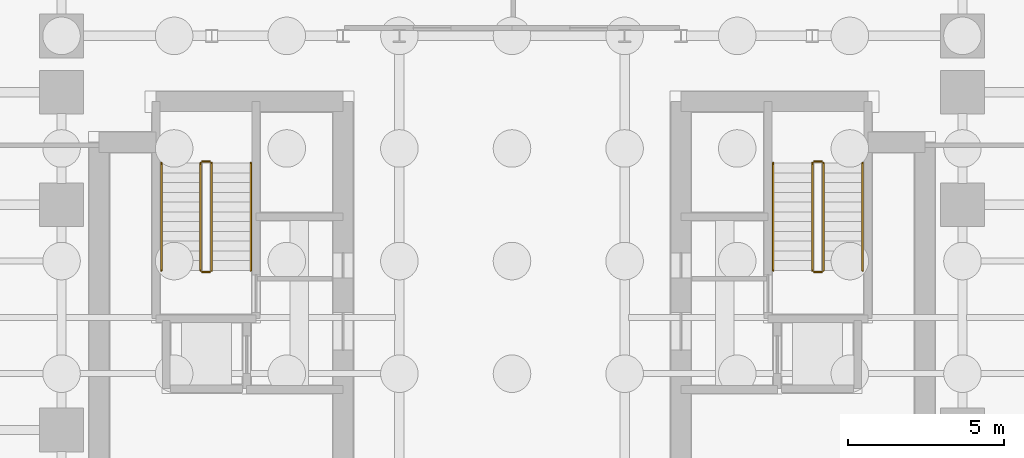
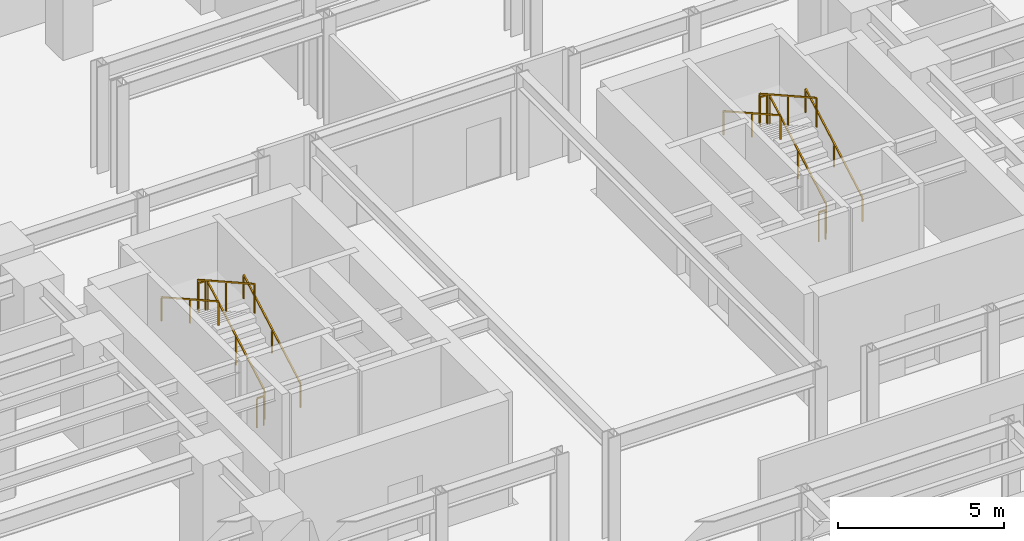
# One storey, part 12 of 13: 12 railings.
"""IFC4 building model written with IfcOpenShell, lengths in metres."""

from ifc_helpers import new_model, si_unit, direction, frame, origin, origin_2d, place, context, subcontext, project, spatial, rectangle, extrude, material, type_object, element, save


model = new_model("IFC4")

# Units and contexts
model_context = context("Model", 3, precision=1e-05, world=origin(), true_north=direction((0.0, 1.0)))
body_context = subcontext(model_context, "Body", "Model", "MODEL_VIEW")
ifc_project = project(units=[si_unit("LENGTHUNIT", "METRE"), si_unit("AREAUNIT", "SQUARE_METRE"), si_unit("VOLUMEUNIT", "CUBIC_METRE"), si_unit("PLANEANGLEUNIT", "RADIAN"), si_unit("MASSUNIT", "GRAM", prefix="KILO")], contexts=[model_context])

# Site, building, storey
site_placement = place(None, origin())
site = spatial("IfcSite", under=ifc_project, at=site_placement, CompositionType="ELEMENT")
building_placement = place(site_placement, origin())
building = spatial("IfcBuilding", under=site, at=building_placement, Name="Keilestroom Media Tower", CompositionType="ELEMENT")
storey_placement = place(building_placement, frame((0.0, 0.0, -8.39990234375)))
storey = spatial("IfcBuildingStorey", under=building, at=storey_placement, Name="B2", CompositionType="ELEMENT", Elevation=-8.39990234375)

# Railings
ifc_material_1 = material(Name="Brushed Stainless Steel 1.4301", Category="steel")
railing_type_1 = type_object("IfcRailingType", Name="Stair-Pitch-Handrail-920", PredefinedType="HANDRAIL", material=ifc_material_1)
railing_1_placement = place(storey_placement, frame((-8.35009765625, 1.5, 0.1748046875)))
element("IfcRailing", 1, at=railing_1_placement, inside=storey, type_object=railing_type_1, Name="B2 ST-1 stair handrail 1", PredefinedType="HANDRAIL", context=body_context, shape_type="SweptSolid", body=[
    extrude(rectangle(XDim=0.048095703125, YDim=0.048095703125, at=origin_2d()), frame((0.0, 0.0, 0.8759765625), z_axis=(0.0, 0.872159829118, 0.489221046638), x_axis=(-1.0, 0.0, 0.0)), (0.0, 0.0, 1.0), 3.934814453125),
    extrude(rectangle(XDim=0.0419921875, YDim=0.0419921875, at=origin_2d()), origin(), (0.0, 0.0, 1.0), 0.84375),
    extrude(rectangle(XDim=0.0419921875, YDim=0.0419921875, at=origin_2d()), frame((0.0, 1.7158203125, 0.96240234375)), (0.0, 0.0, 1.0), 0.84375),
    extrude(rectangle(XDim=0.0419921875, YDim=0.0419921875, at=origin_2d()), frame((0.0, 3.431884765625, 1.925048828125)), (0.0, 0.0, 1.0), 0.84375),
])
railing_2_placement = place(storey_placement, frame((-11.2099609375, 4.931884765625, 2.27490234375)))
element("IfcRailing", 2, at=railing_2_placement, inside=storey, type_object=railing_type_1, Name="B2 ST-1 stair handrail 2", PredefinedType="HANDRAIL", context=body_context, shape_type="SweptSolid", body=[
    extrude(rectangle(XDim=0.048095703125, YDim=0.048095703125, at=origin_2d()), frame((0.0, 0.0, 0.8759765625), z_axis=(0.0, -0.872159829118, 0.489221046638), x_axis=(1.0, 0.0, 0.0)), (0.0, 0.0, 1.0), 3.934814453125),
    extrude(rectangle(XDim=0.0419921875, YDim=0.0419921875, at=origin_2d()), origin(), (0.0, 0.0, 1.0), 0.84375),
    extrude(rectangle(XDim=0.0419921875, YDim=0.0419921875, at=origin_2d()), frame((0.0, -1.7158203125, 0.96240234375)), (0.0, 0.0, 1.0), 0.84375),
    extrude(rectangle(XDim=0.0419921875, YDim=0.0419921875, at=origin_2d()), frame((0.0, -3.431884765625, 1.925048828125)), (0.0, 0.0, 1.0), 0.84375),
])
railing_3_placement = place(storey_placement, frame((11.2099609375, 1.5, 0.1748046875)))
element("IfcRailing", 3, at=railing_3_placement, inside=storey, type_object=railing_type_1, Name="B2 ST-2 stair handrail 1", PredefinedType="HANDRAIL", context=body_context, shape_type="SweptSolid", body=[
    extrude(rectangle(XDim=0.048095703125, YDim=0.048095703125, at=origin_2d()), frame((0.0, 0.0, 0.8759765625), z_axis=(0.0, 0.872159829118, 0.489221046638), x_axis=(-1.0, 0.0, 0.0)), (0.0, 0.0, 1.0), 3.934814453125),
    extrude(rectangle(XDim=0.0419921875, YDim=0.0419921875, at=origin_2d()), origin(), (0.0, 0.0, 1.0), 0.84375),
    extrude(rectangle(XDim=0.0419921875, YDim=0.0419921875, at=origin_2d()), frame((0.0, 1.7158203125, 0.96240234375)), (0.0, 0.0, 1.0), 0.84375),
    extrude(rectangle(XDim=0.0419921875, YDim=0.0419921875, at=origin_2d()), frame((0.0, 3.431884765625, 1.925048828125)), (0.0, 0.0, 1.0), 0.84375),
])
railing_4_placement = place(storey_placement, frame((8.35009765625, 4.931884765625, 2.27490234375)))
element("IfcRailing", 4, at=railing_4_placement, inside=storey, type_object=railing_type_1, Name="B2 ST-2 stair handrail 2", PredefinedType="HANDRAIL", context=body_context, shape_type="SweptSolid", body=[
    extrude(rectangle(XDim=0.048095703125, YDim=0.048095703125, at=origin_2d()), frame((0.0, 0.0, 0.8759765625), z_axis=(0.0, -0.872159829118, 0.489221046638), x_axis=(1.0, 0.0, 0.0)), (0.0, 0.0, 1.0), 3.934814453125),
    extrude(rectangle(XDim=0.0419921875, YDim=0.0419921875, at=origin_2d()), origin(), (0.0, 0.0, 1.0), 0.84375),
    extrude(rectangle(XDim=0.0419921875, YDim=0.0419921875, at=origin_2d()), frame((0.0, -1.7158203125, 0.96240234375)), (0.0, 0.0, 1.0), 0.84375),
    extrude(rectangle(XDim=0.0419921875, YDim=0.0419921875, at=origin_2d()), frame((0.0, -3.431884765625, 1.925048828125)), (0.0, 0.0, 1.0), 0.84375),
])
ifc_material_2 = material(Name="Painted Steel Balustrade", Category="steel")
railing_type_2 = type_object("IfcRailingType", Name="Stair-Well-And-Landing-Guard-1100", PredefinedType="GUARDRAIL", material=ifc_material_2)
railing_5_placement = place(storey_placement, frame((-9.610107421875, 1.5, 0.1748046875)))
element("IfcRailing", 5, at=railing_5_placement, inside=storey, type_object=railing_type_2, Name="B2 ST-1 stair guard 1", PredefinedType="GUARDRAIL", context=body_context, shape_type="SweptSolid", body=[
    extrude(rectangle(XDim=0.048095703125, YDim=0.048095703125, at=origin_2d()), frame((0.0, 0.0, 1.076171875), z_axis=(0.0, 0.872159829118, 0.489221046638), x_axis=(-1.0, 0.0, 0.0)), (0.0, 0.0, 1.0), 3.934814453125),
    extrude(rectangle(XDim=0.0419921875, YDim=0.0419921875, at=origin_2d()), origin(), (0.0, 0.0, 1.0), 1.0439453125),
    extrude(rectangle(XDim=0.0419921875, YDim=0.0419921875, at=origin_2d()), frame((0.0, 1.7158203125, 0.96240234375)), (0.0, 0.0, 1.0), 1.0439453125),
    extrude(rectangle(XDim=0.0419921875, YDim=0.0419921875, at=origin_2d()), frame((0.0, 3.431884765625, 1.925048828125)), (0.0, 0.0, 1.0), 1.0439453125),
])
railing_6_placement = place(storey_placement, frame((-9.659912109375, 4.98193359375, 2.099853515625)))
element("IfcRailing", 6, at=railing_6_placement, inside=storey, type_object=railing_type_2, Name="B2 ST-1 stair guard 2", PredefinedType="GUARDRAIL", context=body_context, shape_type="SweptSolid", body=[
    extrude(rectangle(XDim=0.048095703125, YDim=0.048095703125, at=origin_2d()), frame((0.0, 0.0, 1.076171875), z_axis=(-1.0, 0.0, 0.0), x_axis=(0.0, -1.0, 0.0)), (0.0, 0.0, 1.0), 0.239990234375),
    extrude(rectangle(XDim=0.0419921875, YDim=0.0419921875, at=origin_2d()), origin(), (0.0, 0.0, 1.0), 1.0439453125),
    extrude(rectangle(XDim=0.0419921875, YDim=0.0419921875, at=origin_2d()), frame((-0.239990234375, 0.0, 0.0)), (0.0, 0.0, 1.0), 1.0439453125),
])
railing_7_placement = place(storey_placement, frame((-9.949951171875, 4.931884765625, 2.27490234375)))
element("IfcRailing", 7, at=railing_7_placement, inside=storey, type_object=railing_type_2, Name="B2 ST-1 stair guard 3", PredefinedType="GUARDRAIL", context=body_context, shape_type="SweptSolid", body=[
    extrude(rectangle(XDim=0.048095703125, YDim=0.048095703125, at=origin_2d()), frame((0.0, 0.0, 1.076171875), z_axis=(0.0, -0.872159829118, 0.489221046638), x_axis=(1.0, 0.0, 0.0)), (0.0, 0.0, 1.0), 3.934814453125),
    extrude(rectangle(XDim=0.0419921875, YDim=0.0419921875, at=origin_2d()), origin(), (0.0, 0.0, 1.0), 1.0439453125),
    extrude(rectangle(XDim=0.0419921875, YDim=0.0419921875, at=origin_2d()), frame((0.0, -1.7158203125, 0.96240234375)), (0.0, 0.0, 1.0), 1.0439453125),
    extrude(rectangle(XDim=0.0419921875, YDim=0.0419921875, at=origin_2d()), frame((0.0, -3.431884765625, 1.925048828125)), (0.0, 0.0, 1.0), 1.0439453125),
])
railing_8_placement = place(storey_placement, frame((-9.659912109375, 1.449951171875, 0.0)))
element("IfcRailing", 8, at=railing_8_placement, inside=storey, type_object=railing_type_2, Name="B2 ST-1 stair guard 4", PredefinedType="GUARDRAIL", context=body_context, shape_type="SweptSolid", body=[
    extrude(rectangle(XDim=0.048095703125, YDim=0.048095703125, at=origin_2d()), frame((0.0, 0.0, 1.076171875), z_axis=(-1.0, 0.0, 0.0), x_axis=(0.0, -1.0, 0.0)), (0.0, 0.0, 1.0), 0.239990234375),
    extrude(rectangle(XDim=0.0419921875, YDim=0.0419921875, at=origin_2d()), origin(), (0.0, 0.0, 1.0), 1.0439453125),
    extrude(rectangle(XDim=0.0419921875, YDim=0.0419921875, at=origin_2d()), frame((-0.239990234375, 0.0, 0.0)), (0.0, 0.0, 1.0), 1.0439453125),
])
railing_9_placement = place(storey_placement, frame((9.949951171875, 1.5, 0.1748046875)))
element("IfcRailing", 9, at=railing_9_placement, inside=storey, type_object=railing_type_2, Name="B2 ST-2 stair guard 1", PredefinedType="GUARDRAIL", context=body_context, shape_type="SweptSolid", body=[
    extrude(rectangle(XDim=0.048095703125, YDim=0.048095703125, at=origin_2d()), frame((0.0, 0.0, 1.076171875), z_axis=(0.0, 0.872159829118, 0.489221046638), x_axis=(-1.0, 0.0, 0.0)), (0.0, 0.0, 1.0), 3.934814453125),
    extrude(rectangle(XDim=0.0419921875, YDim=0.0419921875, at=origin_2d()), origin(), (0.0, 0.0, 1.0), 1.0439453125),
    extrude(rectangle(XDim=0.0419921875, YDim=0.0419921875, at=origin_2d()), frame((0.0, 1.7158203125, 0.96240234375)), (0.0, 0.0, 1.0), 1.0439453125),
    extrude(rectangle(XDim=0.0419921875, YDim=0.0419921875, at=origin_2d()), frame((0.0, 3.431884765625, 1.925048828125)), (0.0, 0.0, 1.0), 1.0439453125),
])
railing_10_placement = place(storey_placement, frame((9.89990234375, 4.98193359375, 2.099853515625)))
element("IfcRailing", 10, at=railing_10_placement, inside=storey, type_object=railing_type_2, Name="B2 ST-2 stair guard 2", PredefinedType="GUARDRAIL", context=body_context, shape_type="SweptSolid", body=[
    extrude(rectangle(XDim=0.048095703125, YDim=0.048095703125, at=origin_2d()), frame((0.0, 0.0, 1.076171875), z_axis=(-1.0, 0.0, 0.0), x_axis=(0.0, -1.0, 0.0)), (0.0, 0.0, 1.0), 0.239990234375),
    extrude(rectangle(XDim=0.0419921875, YDim=0.0419921875, at=origin_2d()), origin(), (0.0, 0.0, 1.0), 1.0439453125),
    extrude(rectangle(XDim=0.0419921875, YDim=0.0419921875, at=origin_2d()), frame((-0.239990234375, 0.0, 0.0)), (0.0, 0.0, 1.0), 1.0439453125),
])
railing_11_placement = place(storey_placement, frame((9.610107421875, 4.931884765625, 2.27490234375)))
element("IfcRailing", 11, at=railing_11_placement, inside=storey, type_object=railing_type_2, Name="B2 ST-2 stair guard 3", PredefinedType="GUARDRAIL", context=body_context, shape_type="SweptSolid", body=[
    extrude(rectangle(XDim=0.048095703125, YDim=0.048095703125, at=origin_2d()), frame((0.0, 0.0, 1.076171875), z_axis=(0.0, -0.872159829118, 0.489221046638), x_axis=(1.0, 0.0, 0.0)), (0.0, 0.0, 1.0), 3.934814453125),
    extrude(rectangle(XDim=0.0419921875, YDim=0.0419921875, at=origin_2d()), origin(), (0.0, 0.0, 1.0), 1.0439453125),
    extrude(rectangle(XDim=0.0419921875, YDim=0.0419921875, at=origin_2d()), frame((0.0, -1.7158203125, 0.96240234375)), (0.0, 0.0, 1.0), 1.0439453125),
    extrude(rectangle(XDim=0.0419921875, YDim=0.0419921875, at=origin_2d()), frame((0.0, -3.431884765625, 1.925048828125)), (0.0, 0.0, 1.0), 1.0439453125),
])
railing_12_placement = place(storey_placement, frame((9.89990234375, 1.449951171875, 0.0)))
element("IfcRailing", 12, at=railing_12_placement, inside=storey, type_object=railing_type_2, Name="B2 ST-2 stair guard 4", PredefinedType="GUARDRAIL", context=body_context, shape_type="SweptSolid", body=[
    extrude(rectangle(XDim=0.048095703125, YDim=0.048095703125, at=origin_2d()), frame((0.0, 0.0, 1.076171875), z_axis=(-1.0, 0.0, 0.0), x_axis=(0.0, -1.0, 0.0)), (0.0, 0.0, 1.0), 0.239990234375),
    extrude(rectangle(XDim=0.0419921875, YDim=0.0419921875, at=origin_2d()), origin(), (0.0, 0.0, 1.0), 1.0439453125),
    extrude(rectangle(XDim=0.0419921875, YDim=0.0419921875, at=origin_2d()), frame((-0.239990234375, 0.0, 0.0)), (0.0, 0.0, 1.0), 1.0439453125),
])

save(model, "model.ifc")
